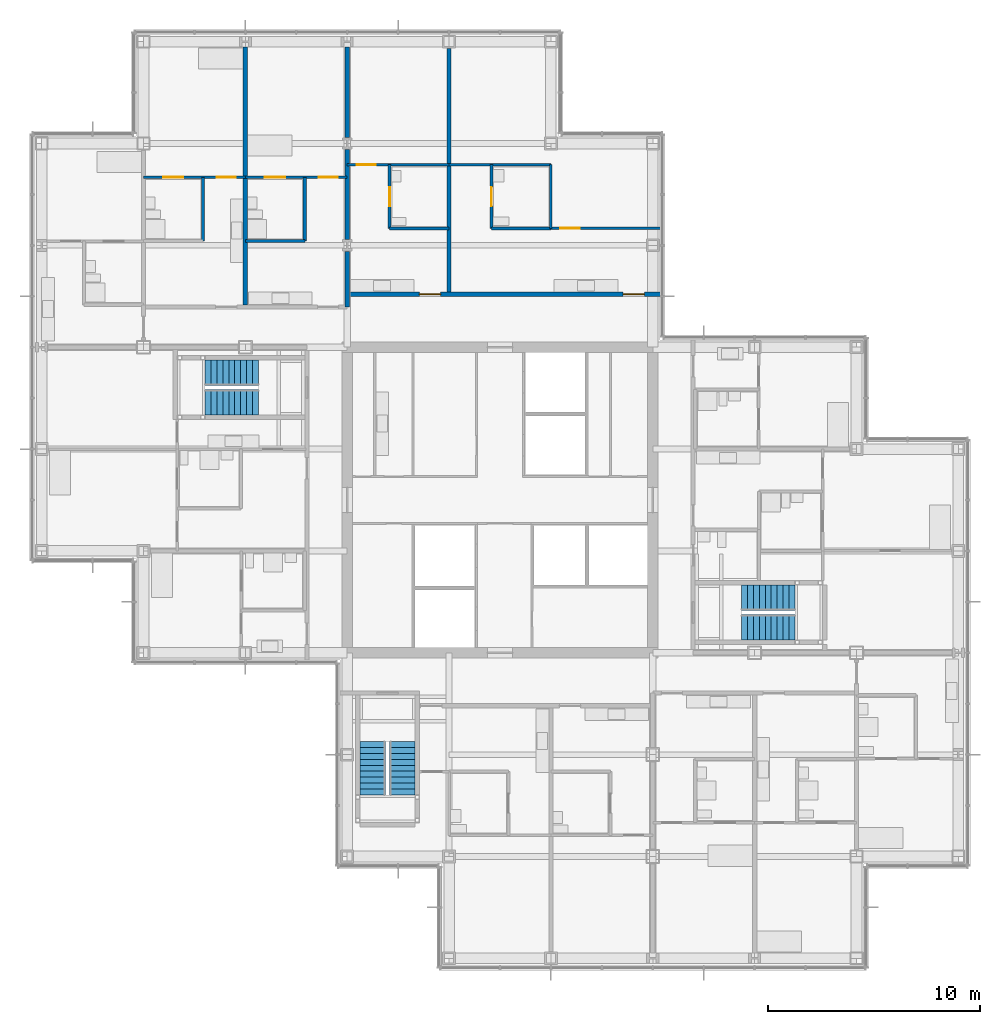
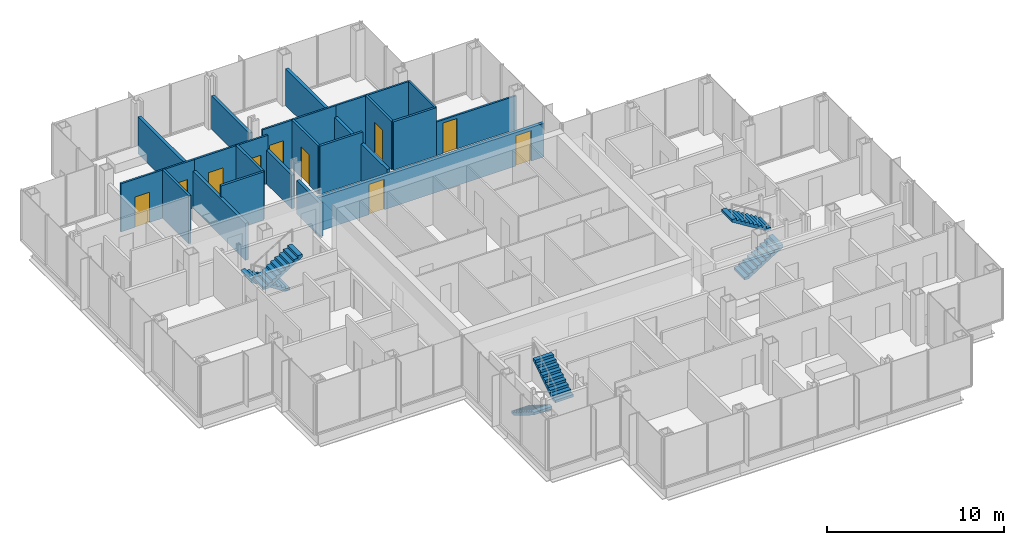
# One storey, part 16 of 19: 19 walls, 10 doors, 6 stair flights, 10 openings, 3 elements without a shape of their own.
"""IFC4 building model written with IfcOpenShell, lengths in metres."""

from ifc_helpers import new_model, si_unit, direction, frame, frame_2d, origin, place, context, subcontext, project, spatial, polyline, rectangle, outline, extrude, material, layer, layer_set, type_object, element, fill, aggregate, save


model = new_model("IFC4")

# Units and contexts
model_context = context("Model", 3, precision=1e-05, world=origin(), true_north=direction((0.0, 1.0)))
body_context = subcontext(model_context, "Body", "Model", "MODEL_VIEW")
ifc_project = project(units=[si_unit("LENGTHUNIT", "METRE"), si_unit("AREAUNIT", "SQUARE_METRE"), si_unit("VOLUMEUNIT", "CUBIC_METRE"), si_unit("PLANEANGLEUNIT", "RADIAN"), si_unit("MASSUNIT", "GRAM", prefix="KILO")], contexts=[model_context])

# Site, building, storey
site_placement = place(None, origin())
site = spatial("IfcSite", under=ifc_project, at=site_placement, CompositionType="ELEMENT")
building_placement = place(site_placement, origin())
building = spatial("IfcBuilding", under=site, at=building_placement, Name="Kvirike Care Tower", CompositionType="ELEMENT")
storey_placement = place(building_placement, frame((0.0, 0.0, 108.5)))
storey = spatial("IfcBuildingStorey", under=building, at=storey_placement, Name="L29", CompositionType="ELEMENT", Elevation=108.5)

# Walls
ifc_material_1 = material(Name="Moisture-resistant board partition", Category="gypsum")
ifc_layer_1 = layer(ifc_material_1, 0.14990234375)
ifc_layer_set_1 = layer_set([ifc_layer_1], Name="BATHROOM WALL 150")
wall_type_1 = type_object("IfcWallType", Name="BATHROOM WALL 150", PredefinedType="PARTITIONING", material=ifc_layer_set_1)
wall_1_placement = place(storey_placement, frame((12.39990234375, 51.199951171875, 0.0), z_axis=(0.0, 0.0, 1.0), x_axis=(0.0, -1.0, 0.0)))
element("IfcWall", 1, at=wall_1_placement, inside=storey, type_object=wall_type_1, Name="Bathroom Wall 150 L29", PredefinedType="PARTITIONING", context=body_context, shape_type="SweptSolid", body=[
    extrude(rectangle(XDim=3.0, YDim=0.14990234375, at=frame_2d((1.5, 0.0))), origin(), (0.0, 0.0, 1.0), 3.330078125),
])
wall_2_placement = place(storey_placement, frame((12.39990234375, 48.199951171875, 0.0), z_axis=(0.0, 0.0, 1.0), x_axis=(-1.0, 0.0, 0.0)))
element("IfcWall", 2, at=wall_2_placement, inside=storey, type_object=wall_type_1, Name="Bathroom Wall 150 L29", PredefinedType="PARTITIONING", context=body_context, shape_type="SweptSolid", body=[
    extrude(rectangle(XDim=2.7998046875, YDim=0.14990234375, at=frame_2d((1.39990234375, 0.0))), origin(), (0.0, 0.0, 1.0), 3.330078125),
])
wall_3_placement = place(storey_placement, frame((7.60009765625, 51.199951171875, 0.0), z_axis=(0.0, 0.0, 1.0), x_axis=(0.0, -1.0, 0.0)))
element("IfcWall", 3, at=wall_3_placement, inside=storey, type_object=wall_type_1, Name="Bathroom Wall 150 L29", PredefinedType="PARTITIONING", context=body_context, shape_type="SweptSolid", body=[
    extrude(rectangle(XDim=3.0, YDim=0.14990234375, at=frame_2d((1.5, 0.0))), origin(), (0.0, 0.0, 1.0), 3.330078125),
])

# Wall, opening, door
wall_4_placement = place(storey_placement, frame((21.199951171875, 51.800048828125, 0.0), z_axis=(0.0, 0.0, 1.0), x_axis=(0.0, -1.0, 0.0)))
wall_4 = element("IfcWall", 4, at=wall_4_placement, inside=storey, type_object=wall_type_1, Name="Bathroom Wall 150 L29", PredefinedType="PARTITIONING", context=body_context, shape_type="SweptSolid", body=[
    extrude(rectangle(XDim=3.0, YDim=0.14990234375, at=frame_2d((1.5, 0.0))), origin(), (0.0, 0.0, 1.0), 3.330078125),
])
opening_1_placement = place(wall_4_placement, frame((1.050048828125, 0.0, 0.0)))
opening_1 = element("IfcOpeningElement", 5, at=opening_1_placement, cuts=wall_4, Name="Opening 29-026", PredefinedType="OPENING", context=body_context, shape_type="SweptSolid", body=[
    extrude(rectangle(XDim=0.89990234375, YDim=2.10009765625, at=frame_2d((0.449951171875, 1.050048828125))), frame((0.0, 0.08544921875, 0.0), z_axis=(0.0, -1.0, 0.0), x_axis=(1.0, 0.0, 0.0)), (0.0, 0.0, 1.0), 0.1708984375),
])
ifc_material_2 = material(Name="Timber door set", Category="wood")
door_type_1 = type_object("IfcDoorType", Name="BATHROOM DOOR 900", OperationType="SINGLE_SWING_RIGHT", PredefinedType="DOOR", material=ifc_material_2)
door_1_placement = place(opening_1_placement, origin())
door_1 = element("IfcDoor", 6, at=door_1_placement, inside=storey, type_object=door_type_1, Name="Accessible WC door", OperationType="SINGLE_SWING_RIGHT", OverallHeight=2.10009765625, OverallWidth=0.89990234375, PredefinedType="DOOR", context=body_context, shape_type="SweptSolid", body=[
    extrude(rectangle(XDim=0.89990234375, YDim=2.10009765625, at=frame_2d((0.449951171875, 1.050048828125))), frame((0.0, 0.02197265625, 0.0), z_axis=(0.0, -1.0, 0.0), x_axis=(1.0, 0.0, 0.0)), (0.0, 0.0, 1.0), 0.0439453125),
])
fill(opening_1, door_1)

# Wall
wall_5_placement = place(storey_placement, frame((24.0, 48.800048828125, 0.0), z_axis=(0.0, 0.0, 1.0), x_axis=(-1.0, 0.0, 0.0)))
element("IfcWall", 7, at=wall_5_placement, inside=storey, type_object=wall_type_1, Name="Bathroom Wall 150 L29", PredefinedType="PARTITIONING", context=body_context, shape_type="SweptSolid", body=[
    extrude(rectangle(XDim=2.800048828125, YDim=0.14990234375, at=frame_2d((1.39990234375, 0.0))), origin(), (0.0, 0.0, 1.0), 3.330078125),
])

# Wall, opening, door
wall_6_placement = place(storey_placement, frame((16.39990234375, 51.800048828125, 0.0), z_axis=(0.0, 0.0, 1.0), x_axis=(0.0, -1.0, 0.0)))
wall_6 = element("IfcWall", 8, at=wall_6_placement, inside=storey, type_object=wall_type_1, Name="Bathroom Wall 150 L29", PredefinedType="PARTITIONING", context=body_context, shape_type="SweptSolid", body=[
    extrude(rectangle(XDim=3.0, YDim=0.14990234375, at=frame_2d((1.5, 0.0))), origin(), (0.0, 0.0, 1.0), 3.330078125),
])
opening_2_placement = place(wall_6_placement, frame((1.050048828125, 0.0, 0.0)))
opening_2 = element("IfcOpeningElement", 9, at=opening_2_placement, cuts=wall_6, Name="Opening 29-028", PredefinedType="OPENING", context=body_context, shape_type="SweptSolid", body=[
    extrude(rectangle(XDim=0.89990234375, YDim=2.10009765625, at=frame_2d((0.449951171875, 1.050048828125))), frame((0.0, 0.08544921875, 0.0), z_axis=(0.0, -1.0, 0.0), x_axis=(1.0, 0.0, 0.0)), (0.0, 0.0, 1.0), 0.1708984375),
])
door_2_placement = place(opening_2_placement, origin())
door_2 = element("IfcDoor", 10, at=door_2_placement, inside=storey, type_object=door_type_1, Name="Staff WC door", OperationType="SINGLE_SWING_RIGHT", OverallHeight=2.10009765625, OverallWidth=0.89990234375, PredefinedType="DOOR", context=body_context, shape_type="SweptSolid", body=[
    extrude(rectangle(XDim=0.89990234375, YDim=2.10009765625, at=frame_2d((0.449951171875, 1.050048828125))), frame((0.0, 0.02197265625, 0.0), z_axis=(0.0, -1.0, 0.0), x_axis=(1.0, 0.0, 0.0)), (0.0, 0.0, 1.0), 0.0439453125),
])
fill(opening_2, door_2)

# Wall
wall_7_placement = place(storey_placement, frame((19.199951171875, 48.800048828125, 0.0), z_axis=(0.0, 0.0, 1.0), x_axis=(-1.0, 0.0, 0.0)))
element("IfcWall", 11, at=wall_7_placement, inside=storey, type_object=wall_type_1, Name="Bathroom Wall 150 L29", PredefinedType="PARTITIONING", context=body_context, shape_type="SweptSolid", body=[
    extrude(rectangle(XDim=2.800048828125, YDim=0.14990234375, at=frame_2d((1.39990234375, 0.0))), origin(), (0.0, 0.0, 1.0), 3.330078125),
])

# Wall, openings, doors
ifc_material_3 = material(Name="Plasterboard corridor wall", Category="gypsum")
ifc_layer_2 = layer(ifc_material_3, 0.199951171875)
ifc_layer_set_2 = layer_set([ifc_layer_2], Name="CORRIDOR WALL 200")
wall_type_2 = type_object("IfcWallType", Name="CORRIDOR WALL 200", PredefinedType="PARTITIONING", material=ifc_layer_set_2)
wall_8_placement = place(storey_placement, frame((29.239990234375, 45.699951171875, 0.0), z_axis=(0.0, 0.0, 1.0), x_axis=(-1.0, 0.0, 0.0)))
wall_8 = element("IfcWall", 12, at=wall_8_placement, inside=storey, type_object=wall_type_2, Name="Corridor Wall 200 L29", PredefinedType="PARTITIONING", context=body_context, shape_type="SweptSolid", body=[
    extrude(rectangle(XDim=14.840087890625, YDim=0.199951171875, at=frame_2d((7.419921875, 0.0))), origin(), (0.0, 0.0, 1.0), 2.320068359375),
])
opening_3_placement = place(wall_8_placement, frame((0.840087890625, 0.0, 0.0)))
opening_3 = element("IfcOpeningElement", 13, at=opening_3_placement, cuts=wall_8, Name="Opening 29-030", PredefinedType="OPENING", context=body_context, shape_type="SweptSolid", body=[
    extrude(rectangle(XDim=1.0, YDim=2.10009765625, at=frame_2d((0.5, 1.050048828125))), frame((0.0, 0.110595703125, 0.0), z_axis=(0.0, -1.0, 0.0), x_axis=(1.0, 0.0, 0.0)), (0.0, 0.0, 1.0), 0.220947265625),
])
opening_4_placement = place(wall_8_placement, frame((10.43994140625, 0.0, 0.0)))
opening_4 = element("IfcOpeningElement", 14, at=opening_4_placement, cuts=wall_8, Name="Opening 29-031", PredefinedType="OPENING", context=body_context, shape_type="SweptSolid", body=[
    extrude(rectangle(XDim=1.0, YDim=2.10009765625, at=frame_2d((0.5, 1.050048828125))), frame((0.0, 0.110595703125, 0.0), z_axis=(0.0, -1.0, 0.0), x_axis=(1.0, 0.0, 0.0)), (0.0, 0.0, 1.0), 0.220947265625),
])
ifc_material_4 = material(Name="Timber door set", Category="wood")
door_type_2 = type_object("IfcDoorType", Name="FLAT ENTRANCE DOOR 1000", OperationType="SINGLE_SWING_LEFT", PredefinedType="DOOR", material=ifc_material_4)
door_3_placement = place(opening_3_placement, frame((1.0, 0.0, 0.0), z_axis=(0.0, 0.0, 1.0), x_axis=(-1.0, 0.0, 0.0)))
door_3 = element("IfcDoor", 15, at=door_3_placement, inside=storey, type_object=door_type_2, Name="Household lounge entrance", OperationType="SINGLE_SWING_LEFT", OverallHeight=2.10009765625, OverallWidth=1.0, PredefinedType="DOOR", context=body_context, shape_type="SweptSolid", body=[
    extrude(rectangle(XDim=1.0, YDim=2.10009765625, at=frame_2d((0.5, 1.050048828125))), frame((0.0, 0.02685546875, 0.0), z_axis=(0.0, -1.0, 0.0), x_axis=(1.0, 0.0, 0.0)), (0.0, 0.0, 1.0), 0.053955078125),
])
fill(opening_3, door_3)
door_4_placement = place(opening_4_placement, frame((1.0, 0.0, 0.0), z_axis=(0.0, 0.0, 1.0), x_axis=(-1.0, 0.0, 0.0)))
door_4 = element("IfcDoor", 16, at=door_4_placement, inside=storey, type_object=door_type_2, Name="Household dining entrance", OperationType="SINGLE_SWING_LEFT", OverallHeight=2.10009765625, OverallWidth=1.0, PredefinedType="DOOR", context=body_context, shape_type="SweptSolid", body=[
    extrude(rectangle(XDim=1.0, YDim=2.10009765625, at=frame_2d((0.5, 1.050048828125))), frame((0.0, 0.02685546875, 0.0), z_axis=(0.0, -1.0, 0.0), x_axis=(1.0, 0.0, 0.0)), (0.0, 0.0, 1.0), 0.053955078125),
])
fill(opening_4, door_4)

ifc_material_5 = material(Name="Plasterboard partition", Category="gypsum")
ifc_layer_3 = layer(ifc_material_5, 0.1201171875)
ifc_layer_set_3 = layer_set([ifc_layer_3], Name="PARTITION 120")
wall_type_3 = type_object("IfcWallType", Name="PARTITION 120", PredefinedType="PARTITIONING", material=ifc_layer_set_3)
wall_9_placement = place(storey_placement, frame((14.39990234375, 51.199951171875, 0.0), z_axis=(0.0, 0.0, 1.0), x_axis=(-1.0, 0.0, 0.0)))
wall_9 = element("IfcWall", 17, at=wall_9_placement, inside=storey, type_object=wall_type_3, Name="Partition 120 L29", PredefinedType="PARTITIONING", context=body_context, shape_type="SweptSolid", body=[
    extrude(rectangle(XDim=4.7998046875, YDim=0.1201171875, at=frame_2d((2.39990234375, 0.0))), origin(), (0.0, 0.0, 1.0), 3.330078125),
])
opening_5_placement = place(wall_9_placement, frame((0.449951171875, 0.0, 0.0)))
opening_5 = element("IfcOpeningElement", 18, at=opening_5_placement, cuts=wall_9, Name="Opening 29-010", PredefinedType="OPENING", context=body_context, shape_type="SweptSolid", body=[
    extrude(rectangle(XDim=0.89990234375, YDim=2.10009765625, at=frame_2d((0.449951171875, 1.050048828125))), frame((0.0, 0.070556640625, 0.0), z_axis=(0.0, -1.0, 0.0), x_axis=(1.0, 0.0, 0.0)), (0.0, 0.0, 1.0), 0.14111328125),
])
opening_6_placement = place(wall_9_placement, frame((2.925048828125, 0.0, 0.0)))
opening_6 = element("IfcOpeningElement", 19, at=opening_6_placement, cuts=wall_9, Name="Opening 29-011", PredefinedType="OPENING", context=body_context, shape_type="SweptSolid", body=[
    extrude(rectangle(XDim=0.949951171875, YDim=2.10009765625, at=frame_2d((0.47509765625, 1.050048828125))), frame((0.0, 0.070556640625, 0.0), z_axis=(0.0, -1.0, 0.0), x_axis=(1.0, 0.0, 0.0)), (0.0, 0.0, 1.0), 0.14111328125),
])
ifc_material_6 = material(Name="Timber door set", Category="wood")
door_type_3 = type_object("IfcDoorType", Name="EN-SUITE SLIDING DOOR 950", OperationType="SLIDING_TO_LEFT", PredefinedType="DOOR", material=ifc_material_6)
door_5_placement = place(opening_6_placement, origin())
door_5 = element("IfcDoor", 20, at=door_5_placement, inside=storey, type_object=door_type_3, Name="En-suite door", OperationType="SLIDING_TO_RIGHT", OverallHeight=2.10009765625, OverallWidth=0.949951171875, PredefinedType="DOOR", context=body_context, shape_type="SweptSolid", body=[
    extrude(rectangle(XDim=0.949951171875, YDim=2.10009765625, at=frame_2d((0.47509765625, 1.050048828125))), frame((0.0, 0.02197265625, 0.0), z_axis=(0.0, -1.0, 0.0), x_axis=(1.0, 0.0, 0.0)), (0.0, 0.0, 1.0), 0.0439453125),
])
fill(opening_6, door_5)
ifc_material_7 = material(Name="Timber door set", Category="wood")
door_type_4 = type_object("IfcDoorType", Name="INTERNAL DOOR 900", OperationType="SINGLE_SWING_LEFT", PredefinedType="DOOR", material=ifc_material_7)
door_6_placement = place(opening_5_placement, origin())
door_6 = element("IfcDoor", 21, at=door_6_placement, inside=storey, type_object=door_type_4, Name="Assisted living suite door", OperationType="SINGLE_SWING_RIGHT", OverallHeight=2.10009765625, OverallWidth=0.89990234375, PredefinedType="DOOR", context=body_context, shape_type="SweptSolid", body=[
    extrude(rectangle(XDim=0.89990234375, YDim=2.10009765625, at=frame_2d((0.449951171875, 1.050048828125))), frame((0.0, 0.02197265625, 0.0), z_axis=(0.0, -1.0, 0.0), x_axis=(1.0, 0.0, 0.0)), (0.0, 0.0, 1.0), 0.0439453125),
])
fill(opening_5, door_6)

wall_10_placement = place(storey_placement, frame((9.60009765625, 51.199951171875, 0.0), z_axis=(0.0, 0.0, 1.0), x_axis=(-1.0, 0.0, 0.0)))
wall_10 = element("IfcWall", 22, at=wall_10_placement, inside=storey, type_object=wall_type_3, Name="Partition 120 L29", PredefinedType="PARTITIONING", context=body_context, shape_type="SweptSolid", body=[
    extrude(rectangle(XDim=4.800048828125, YDim=0.1201171875, at=frame_2d((2.39990234375, 0.0))), origin(), (0.0, 0.0, 1.0), 3.330078125),
])
opening_7_placement = place(wall_10_placement, frame((0.449951171875, 0.0, 0.0)))
opening_7 = element("IfcOpeningElement", 23, at=opening_7_placement, cuts=wall_10, Name="Opening 29-012", PredefinedType="OPENING", context=body_context, shape_type="SweptSolid", body=[
    extrude(rectangle(XDim=0.89990234375, YDim=2.10009765625, at=frame_2d((0.449951171875, 1.050048828125))), frame((0.0, 0.070556640625, 0.0), z_axis=(0.0, -1.0, 0.0), x_axis=(1.0, 0.0, 0.0)), (0.0, 0.0, 1.0), 0.14111328125),
])
opening_8_placement = place(wall_10_placement, frame((2.925048828125, 0.0, 0.0)))
opening_8 = element("IfcOpeningElement", 24, at=opening_8_placement, cuts=wall_10, Name="Opening 29-013", PredefinedType="OPENING", context=body_context, shape_type="SweptSolid", body=[
    extrude(rectangle(XDim=0.949951171875, YDim=2.10009765625, at=frame_2d((0.47509765625, 1.050048828125))), frame((0.0, 0.070556640625, 0.0), z_axis=(0.0, -1.0, 0.0), x_axis=(1.0, 0.0, 0.0)), (0.0, 0.0, 1.0), 0.14111328125),
])
door_7_placement = place(opening_8_placement, origin())
door_7 = element("IfcDoor", 25, at=door_7_placement, inside=storey, type_object=door_type_3, Name="En-suite door", OperationType="SLIDING_TO_LEFT", OverallHeight=2.10009765625, OverallWidth=0.949951171875, PredefinedType="DOOR", context=body_context, shape_type="SweptSolid", body=[
    extrude(rectangle(XDim=0.949951171875, YDim=2.10009765625, at=frame_2d((0.47509765625, 1.050048828125))), frame((0.0, 0.02197265625, 0.0), z_axis=(0.0, -1.0, 0.0), x_axis=(1.0, 0.0, 0.0)), (0.0, 0.0, 1.0), 0.0439453125),
])
fill(opening_8, door_7)
door_8_placement = place(opening_7_placement, origin())
door_8 = element("IfcDoor", 26, at=door_8_placement, inside=storey, type_object=door_type_4, Name="Assisted living suite door", OperationType="SINGLE_SWING_RIGHT", OverallHeight=2.10009765625, OverallWidth=0.89990234375, PredefinedType="DOOR", context=body_context, shape_type="SweptSolid", body=[
    extrude(rectangle(XDim=0.89990234375, YDim=2.10009765625, at=frame_2d((0.449951171875, 1.050048828125))), frame((0.0, 0.02197265625, 0.0), z_axis=(0.0, -1.0, 0.0), x_axis=(1.0, 0.0, 0.0)), (0.0, 0.0, 1.0), 0.0439453125),
])
fill(opening_7, door_8)

# Wall, opening, door
wall_11_placement = place(storey_placement, frame((29.239990234375, 48.800048828125, 0.0), z_axis=(0.0, 0.0, 1.0), x_axis=(-1.0, 0.0, 0.0)))
wall_11 = element("IfcWall", 27, at=wall_11_placement, inside=storey, type_object=wall_type_3, Name="Partition 120 L29", PredefinedType="PARTITIONING", context=body_context, shape_type="SweptSolid", body=[
    extrude(rectangle(XDim=5.239990234375, YDim=0.1201171875, at=frame_2d((2.6201171875, 0.0))), origin(), (0.0, 0.0, 1.0), 2.320068359375),
])
opening_9_placement = place(wall_11_placement, frame((3.889892578125, 0.0, 0.0)))
opening_9 = element("IfcOpeningElement", 28, at=opening_9_placement, cuts=wall_11, Name="Opening 29-027", PredefinedType="OPENING", context=body_context, shape_type="SweptSolid", body=[
    extrude(rectangle(XDim=0.89990234375, YDim=2.10009765625, at=frame_2d((0.449951171875, 1.050048828125))), frame((0.0, 0.070556640625, 0.0), z_axis=(0.0, -1.0, 0.0), x_axis=(1.0, 0.0, 0.0)), (0.0, 0.0, 1.0), 0.14111328125),
])
door_9_placement = place(opening_9_placement, origin())
door_9 = element("IfcDoor", 29, at=door_9_placement, inside=storey, type_object=door_type_4, Name="Household lounge door", OperationType="SINGLE_SWING_RIGHT", OverallHeight=2.10009765625, OverallWidth=0.89990234375, PredefinedType="DOOR", context=body_context, shape_type="SweptSolid", body=[
    extrude(rectangle(XDim=0.89990234375, YDim=2.10009765625, at=frame_2d((0.449951171875, 1.050048828125))), frame((0.0, 0.02197265625, 0.0), z_axis=(0.0, -1.0, 0.0), x_axis=(1.0, 0.0, 0.0)), (0.0, 0.0, 1.0), 0.0439453125),
])
fill(opening_9, door_9)

# Walls
wall_12_placement = place(storey_placement, frame((24.0, 51.800048828125, 0.0), z_axis=(0.0, 0.0, 1.0), x_axis=(-1.0, 0.0, 0.0)))
element("IfcWall", 30, at=wall_12_placement, inside=storey, type_object=wall_type_3, Name="Partition 120 L29", PredefinedType="PARTITIONING", context=body_context, shape_type="SweptSolid", body=[
    extrude(rectangle(XDim=4.800048828125, YDim=0.1201171875, at=frame_2d((2.39990234375, 0.0))), origin(), (0.0, 0.0, 1.0), 3.330078125),
])
wall_13_placement = place(storey_placement, frame((24.0, 51.800048828125, 0.0), z_axis=(0.0, 0.0, 1.0), x_axis=(0.0, -1.0, 0.0)))
element("IfcWall", 31, at=wall_13_placement, inside=storey, type_object=wall_type_3, Name="Partition 120 L29", PredefinedType="PARTITIONING", context=body_context, shape_type="SweptSolid", body=[
    extrude(rectangle(XDim=3.0, YDim=0.1201171875, at=frame_2d((1.5, 0.0))), origin(), (0.0, 0.0, 1.0), 3.330078125),
])

# Wall, opening, door
wall_14_placement = place(storey_placement, frame((19.199951171875, 51.800048828125, 0.0), z_axis=(0.0, 0.0, 1.0), x_axis=(-1.0, 0.0, 0.0)))
wall_14 = element("IfcWall", 32, at=wall_14_placement, inside=storey, type_object=wall_type_3, Name="Partition 120 L29", PredefinedType="PARTITIONING", context=body_context, shape_type="SweptSolid", body=[
    extrude(rectangle(XDim=4.800048828125, YDim=0.1201171875, at=frame_2d((2.39990234375, 0.0))), origin(), (0.0, 0.0, 1.0), 3.330078125),
])
opening_10_placement = place(wall_14_placement, frame((3.449951171875, 0.0, 0.0)))
opening_10 = element("IfcOpeningElement", 33, at=opening_10_placement, cuts=wall_14, Name="Opening 29-029", PredefinedType="OPENING", context=body_context, shape_type="SweptSolid", body=[
    extrude(rectangle(XDim=0.89990234375, YDim=2.10009765625, at=frame_2d((0.449951171875, 1.050048828125))), frame((0.0, 0.070556640625, 0.0), z_axis=(0.0, -1.0, 0.0), x_axis=(1.0, 0.0, 0.0)), (0.0, 0.0, 1.0), 0.14111328125),
])
door_10_placement = place(opening_10_placement, origin())
door_10 = element("IfcDoor", 34, at=door_10_placement, inside=storey, type_object=door_type_4, Name="Household dining room door", OperationType="SINGLE_SWING_LEFT", OverallHeight=2.10009765625, OverallWidth=0.89990234375, PredefinedType="DOOR", context=body_context, shape_type="SweptSolid", body=[
    extrude(rectangle(XDim=0.89990234375, YDim=2.10009765625, at=frame_2d((0.449951171875, 1.050048828125))), frame((0.0, 0.02197265625, 0.0), z_axis=(0.0, -1.0, 0.0), x_axis=(1.0, 0.0, 0.0)), (0.0, 0.0, 1.0), 0.0439453125),
])
fill(opening_10, door_10)

# Walls
ifc_material_8 = material(Name="Plasterboard party wall", Category="gypsum")
ifc_layer_4 = layer(ifc_material_8, 0.199951171875)
ifc_layer_set_4 = layer_set([ifc_layer_4], Name="PARTY WALL 200")
wall_type_4 = type_object("IfcWallType", Name="PARTY WALL 200", PredefinedType="PARTITIONING", material=ifc_layer_set_4)
wall_15_placement = place(storey_placement, frame((9.60009765625, 57.35302734375, 0.0), z_axis=(0.0, 0.0, 1.0), x_axis=(0.0, -1.0, 0.0)))
element("IfcWall", 35, at=wall_15_placement, inside=storey, type_object=wall_type_4, Name="Party Wall 200 L29", PredefinedType="PARTITIONING", context=body_context, shape_type="SweptSolid", body=[
    extrude(rectangle(XDim=12.153076171875, YDim=0.199951171875, at=frame_2d((6.07666015625, 0.0))), origin(), (0.0, 0.0, 1.0), 2.550048828125),
])
wall_16_placement = place(storey_placement, frame((19.199951171875, 57.280029296875, 0.0), z_axis=(0.0, 0.0, 1.0), x_axis=(0.0, -1.0, 0.0)))
element("IfcWall", 36, at=wall_16_placement, inside=storey, type_object=wall_type_4, Name="Party Wall 200 L29", PredefinedType="PARTITIONING", context=body_context, shape_type="SweptSolid", body=[
    extrude(rectangle(XDim=11.47998046875, YDim=0.199951171875, at=frame_2d((5.739990234375, 0.0))), origin(), (0.0, 0.0, 1.0), 2.550048828125),
])
wall_17_placement = place(storey_placement, frame((14.39990234375, 45.10009765625, 0.0), z_axis=(0.0, 0.0, 1.0), x_axis=(0.0, 1.0, 0.0)))
element("IfcWall", 37, at=wall_17_placement, inside=storey, type_object=wall_type_4, Name="Party Wall 200 L29", PredefinedType="PARTITIONING", context=body_context, shape_type="SweptSolid", body=[
    extrude(rectangle(XDim=2.614501953125, YDim=0.199951171875, at=frame_2d((1.30712890625, 0.0))), origin(), (0.0, 0.0, 1.0), 2.320068359375),
])
wall_18_placement = place(storey_placement, frame((14.39990234375, 48.285400390625, 0.0), z_axis=(0.0, 0.0, 1.0), x_axis=(0.0, 1.0, 0.0)))
element("IfcWall", 38, at=wall_18_placement, inside=storey, type_object=wall_type_4, Name="Party Wall 200 L29", PredefinedType="PARTITIONING", context=body_context, shape_type="SweptSolid", body=[
    extrude(rectangle(XDim=4.22900390625, YDim=0.199951171875, at=frame_2d((2.114501953125, 0.0))), origin(), (0.0, 0.0, 1.0), 2.320068359375),
])
wall_19_placement = place(storey_placement, frame((14.39990234375, 53.08544921875, 0.0), z_axis=(0.0, 0.0, 1.0), x_axis=(0.0, 1.0, 0.0)))
element("IfcWall", 39, at=wall_19_placement, inside=storey, type_object=wall_type_4, Name="Party Wall 200 L29", PredefinedType="PARTITIONING", context=body_context, shape_type="SweptSolid", body=[
    extrude(rectangle(XDim=4.267578125, YDim=0.199951171875, at=frame_2d((2.1337890625, 0.0))), origin(), (0.0, 0.0, 1.0), 2.320068359375),
])

# Stair, stair flights
ifc_material_9 = material(Name="Concrete C35/45", Category="concrete")
stair_type = type_object("IfcStairType", Name="STAIR 20 RISERS", PredefinedType="HALF_TURN_STAIR", material=ifc_material_9)
stair_1_placement = place(storey_placement, origin())
stair_1 = element("IfcStair", 40, at=stair_1_placement, inside=storey, type_object=stair_type, Name="Stair 1 L29", PredefinedType="HALF_TURN_STAIR")
ifc_material_10 = material(Name="Concrete C35/45", Category="concrete")
stair_flight_type = type_object("IfcStairFlightType", Name="FLIGHT 10 RISERS", PredefinedType="STRAIGHT", material=ifc_material_10)
stair_flight_1_placement = place(storey_placement, frame((10.219970703125, 42.0, 0.0), z_axis=(0.0, 0.0, 1.0), x_axis=(-1.0, 0.0, 0.0)))
stair_flight_1 = element("IfcStairFlight", 41, at=stair_flight_1_placement, type_object=stair_flight_type, Name="Stair S1 flight 1 L29-L30", NumberOfRisers=10, NumberOfTreads=9, PredefinedType="STRAIGHT", RiserHeight=0.175, TreadLength=0.28, context=body_context, shape_type="SweptSolid", body=[
    extrude(outline(polyline([(0.0, 0.0), (0.0, 0.175048828125), (0.280029296875, 0.175048828125), (0.280029296875, 0.35009765625), (0.56005859375, 0.35009765625), (0.56005859375, 0.52490234375), (0.840087890625, 0.52490234375), (0.840087890625, 0.699951171875), (1.1201171875, 0.699951171875), (1.1201171875, 0.875), (1.39990234375, 0.875), (1.39990234375, 1.050048828125), (1.679931640625, 1.050048828125), (1.679931640625, 1.22509765625), (1.9599609375, 1.22509765625), (1.9599609375, 1.39990234375), (2.239990234375, 1.39990234375), (2.239990234375, 1.574951171875), (2.52001953125, 1.574951171875), (2.52001953125, 1.75), (2.52001953125, 1.398193359375), (0.28271484375, 0.0), (0.0, 0.0)])), frame((0.0, 0.60009765625, 0.0), z_axis=(0.0, -1.0, 0.0), x_axis=(1.0, 0.0, 0.0)), (0.0, 0.0, 1.0), 1.199951171875),
])
stair_flight_2_placement = place(storey_placement, frame((7.699951171875, 40.60009765625, 1.75), z_axis=(0.0, 0.0, 1.0), x_axis=(1.0, 0.0, 0.0)))
stair_flight_2 = element("IfcStairFlight", 42, at=stair_flight_2_placement, type_object=stair_flight_type, Name="Stair S1 flight 2 L29-L30", NumberOfRisers=10, NumberOfTreads=9, PredefinedType="STRAIGHT", RiserHeight=0.175, TreadLength=0.28, context=body_context, shape_type="SweptSolid", body=[
    extrude(outline(polyline([(0.0, 0.0), (0.0, 0.175048828125), (0.280029296875, 0.175048828125), (0.280029296875, 0.35009765625), (0.56005859375, 0.35009765625), (0.56005859375, 0.52490234375), (0.840087890625, 0.52490234375), (0.840087890625, 0.699951171875), (1.1201171875, 0.699951171875), (1.1201171875, 0.875), (1.39990234375, 0.875), (1.39990234375, 1.050048828125), (1.679931640625, 1.050048828125), (1.679931640625, 1.22509765625), (1.9599609375, 1.22509765625), (1.9599609375, 1.39990234375), (2.239990234375, 1.39990234375), (2.239990234375, 1.574951171875), (2.52001953125, 1.574951171875), (2.52001953125, 1.75), (2.52001953125, 1.398193359375), (0.28271484375, 0.0), (0.0, 0.0)])), frame((0.0, 0.60009765625, 0.0), z_axis=(0.0, -1.0, 0.0), x_axis=(1.0, 0.0, 0.0)), (0.0, 0.0, 1.0), 1.199951171875),
])
aggregate(stair_1, [stair_flight_1, stair_flight_2])

stair_2_placement = place(storey_placement, origin())
stair_2 = element("IfcStair", 43, at=stair_2_placement, inside=storey, type_object=stair_type, Name="Stair 2 L29", PredefinedType="HALF_TURN_STAIR")
stair_flight_3_placement = place(storey_placement, frame((32.97998046875, 30.0, 0.0), z_axis=(0.0, 0.0, 1.0), x_axis=(1.0, 0.0, 0.0)))
stair_flight_3 = element("IfcStairFlight", 44, at=stair_flight_3_placement, type_object=stair_flight_type, Name="Stair S2 flight 1 L29-L30", NumberOfRisers=10, NumberOfTreads=9, PredefinedType="STRAIGHT", RiserHeight=0.175, TreadLength=0.28, context=body_context, shape_type="SweptSolid", body=[
    extrude(outline(polyline([(0.0, 0.0), (0.0, 0.175048828125), (0.280029296875, 0.175048828125), (0.280029296875, 0.35009765625), (0.56005859375, 0.35009765625), (0.56005859375, 0.52490234375), (0.840087890625, 0.52490234375), (0.840087890625, 0.699951171875), (1.1201171875, 0.699951171875), (1.1201171875, 0.875), (1.39990234375, 0.875), (1.39990234375, 1.050048828125), (1.679931640625, 1.050048828125), (1.679931640625, 1.22509765625), (1.9599609375, 1.22509765625), (1.9599609375, 1.39990234375), (2.239990234375, 1.39990234375), (2.239990234375, 1.574951171875), (2.52001953125, 1.574951171875), (2.52001953125, 1.75), (2.52001953125, 1.398193359375), (0.28271484375, 0.0), (0.0, 0.0)])), frame((0.0, 0.60009765625, 0.0), z_axis=(0.0, -1.0, 0.0), x_axis=(1.0, 0.0, 0.0)), (0.0, 0.0, 1.0), 1.199951171875),
])
stair_flight_4_placement = place(storey_placement, frame((35.5, 31.39990234375, 1.75), z_axis=(0.0, 0.0, 1.0), x_axis=(-1.0, 0.0, 0.0)))
stair_flight_4 = element("IfcStairFlight", 45, at=stair_flight_4_placement, type_object=stair_flight_type, Name="Stair S2 flight 2 L29-L30", NumberOfRisers=10, NumberOfTreads=9, PredefinedType="STRAIGHT", RiserHeight=0.175, TreadLength=0.28, context=body_context, shape_type="SweptSolid", body=[
    extrude(outline(polyline([(0.0, 0.0), (0.0, 0.175048828125), (0.280029296875, 0.175048828125), (0.280029296875, 0.35009765625), (0.56005859375, 0.35009765625), (0.56005859375, 0.52490234375), (0.840087890625, 0.52490234375), (0.840087890625, 0.699951171875), (1.1201171875, 0.699951171875), (1.1201171875, 0.875), (1.39990234375, 0.875), (1.39990234375, 1.050048828125), (1.679931640625, 1.050048828125), (1.679931640625, 1.22509765625), (1.9599609375, 1.22509765625), (1.9599609375, 1.39990234375), (2.239990234375, 1.39990234375), (2.239990234375, 1.574951171875), (2.52001953125, 1.574951171875), (2.52001953125, 1.75), (2.52001953125, 1.398193359375), (0.28271484375, 0.0), (0.0, 0.0)])), frame((0.0, 0.60009765625, 0.0), z_axis=(0.0, -1.0, 0.0), x_axis=(1.0, 0.0, 0.0)), (0.0, 0.0, 1.0), 1.199951171875),
])
aggregate(stair_2, [stair_flight_3, stair_flight_4])

stair_3_placement = place(storey_placement, origin())
stair_3 = element("IfcStair", 46, at=stair_3_placement, inside=storey, type_object=stair_type, Name="Stair 5 L29", PredefinedType="HALF_TURN_STAIR")
stair_flight_5_placement = place(storey_placement, frame((15.60009765625, 24.6201171875, 0.0), z_axis=(0.0, 0.0, 1.0), x_axis=(0.0, -1.0, 0.0)))
stair_flight_5 = element("IfcStairFlight", 47, at=stair_flight_5_placement, type_object=stair_flight_type, Name="Stair S5 flight 1 L29-L30", NumberOfRisers=10, NumberOfTreads=9, PredefinedType="STRAIGHT", RiserHeight=0.175, TreadLength=0.28, context=body_context, shape_type="SweptSolid", body=[
    extrude(outline(polyline([(0.0, 0.0), (0.0, 0.175048828125), (0.280029296875, 0.175048828125), (0.280029296875, 0.35009765625), (0.56005859375, 0.35009765625), (0.56005859375, 0.52490234375), (0.840087890625, 0.52490234375), (0.840087890625, 0.699951171875), (1.1201171875, 0.699951171875), (1.1201171875, 0.875), (1.39990234375, 0.875), (1.39990234375, 1.050048828125), (1.679931640625, 1.050048828125), (1.679931640625, 1.22509765625), (1.9599609375, 1.22509765625), (1.9599609375, 1.39990234375), (2.239990234375, 1.39990234375), (2.239990234375, 1.574951171875), (2.52001953125, 1.574951171875), (2.52001953125, 1.75), (2.52001953125, 1.398193359375), (0.28271484375, 0.0), (0.0, 0.0)])), frame((0.0, 0.60009765625, 0.0), z_axis=(0.0, -1.0, 0.0), x_axis=(1.0, 0.0, 0.0)), (0.0, 0.0, 1.0), 1.199951171875),
])
stair_flight_6_placement = place(storey_placement, frame((17.0, 22.10009765625, 1.75), z_axis=(0.0, 0.0, 1.0), x_axis=(0.0, 1.0, 0.0)))
stair_flight_6 = element("IfcStairFlight", 48, at=stair_flight_6_placement, type_object=stair_flight_type, Name="Stair S5 flight 2 L29-L30", NumberOfRisers=10, NumberOfTreads=9, PredefinedType="STRAIGHT", RiserHeight=0.175, TreadLength=0.28, context=body_context, shape_type="SweptSolid", body=[
    extrude(outline(polyline([(0.0, 0.0), (0.0, 0.175048828125), (0.280029296875, 0.175048828125), (0.280029296875, 0.35009765625), (0.56005859375, 0.35009765625), (0.56005859375, 0.52490234375), (0.840087890625, 0.52490234375), (0.840087890625, 0.699951171875), (1.1201171875, 0.699951171875), (1.1201171875, 0.875), (1.39990234375, 0.875), (1.39990234375, 1.050048828125), (1.679931640625, 1.050048828125), (1.679931640625, 1.22509765625), (1.9599609375, 1.22509765625), (1.9599609375, 1.39990234375), (2.239990234375, 1.39990234375), (2.239990234375, 1.574951171875), (2.52001953125, 1.574951171875), (2.52001953125, 1.75), (2.52001953125, 1.398193359375), (0.28271484375, 0.0), (0.0, 0.0)])), frame((0.0, 0.60009765625, 0.0), z_axis=(0.0, -1.0, 0.0), x_axis=(1.0, 0.0, 0.0)), (0.0, 0.0, 1.0), 1.199951171875),
])
aggregate(stair_3, [stair_flight_5, stair_flight_6])

save(model, "model.ifc")
